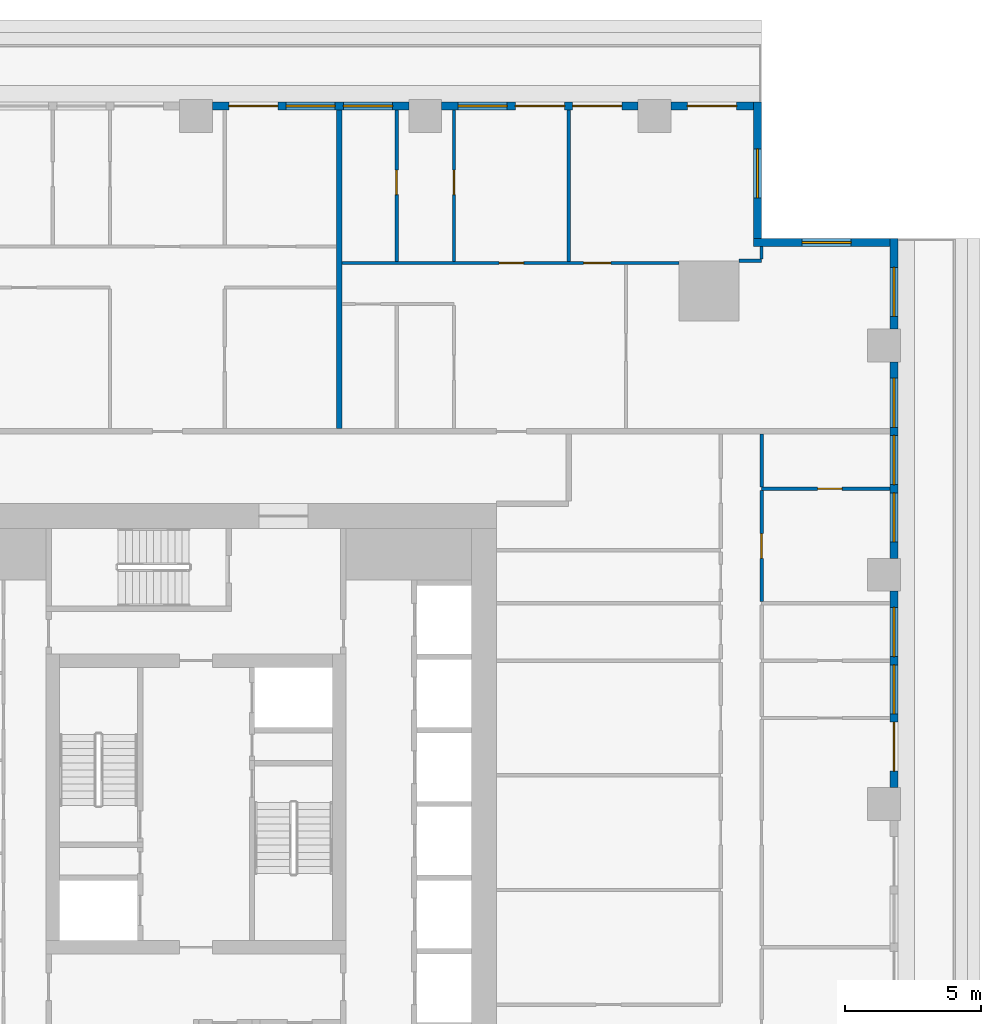
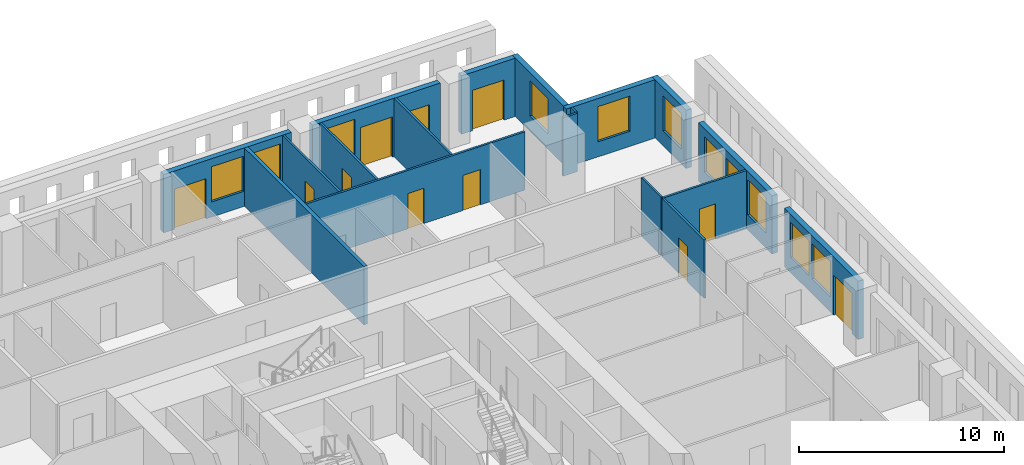
# One storey, part 9 of 15: 18 walls, 11 doors, 11 windows, 22 openings.
"""IFC4 building model written with IfcOpenShell, lengths in metres."""

from ifc_helpers import new_model, si_unit, direction, frame, frame_2d, origin, place, context, subcontext, project, spatial, rectangle, extrude, material, layer, layer_set, type_object, element, fill, save


model = new_model("IFC4")

# Units and contexts
model_context = context("Model", 3, precision=1e-05, world=origin(), true_north=direction((0.0, 1.0)))
body_context = subcontext(model_context, "Body", "Model", "MODEL_VIEW")
ifc_project = project(units=[si_unit("LENGTHUNIT", "METRE"), si_unit("AREAUNIT", "SQUARE_METRE"), si_unit("VOLUMEUNIT", "CUBIC_METRE"), si_unit("PLANEANGLEUNIT", "RADIAN"), si_unit("MASSUNIT", "GRAM", prefix="KILO")], contexts=[model_context])

# Site, building, storey
site_placement = place(None, origin())
site = spatial("IfcSite", under=ifc_project, at=site_placement, CompositionType="ELEMENT")
building_placement = place(site_placement, origin())
building = spatial("IfcBuilding", under=site, at=building_placement, Name="Khepri Terraces", CompositionType="ELEMENT")
storey_placement = place(building_placement, frame((0.0, 0.0, 244.5)))
storey = spatial("IfcBuildingStorey", under=building, at=storey_placement, Name="L58", CompositionType="ELEMENT", Elevation=244.5)

# Wall
ifc_material_1 = material(Name="Fire-rated gypsum plasterboard partition, mineral wool")
ifc_layer_1 = layer(ifc_material_1, 0.199951171875, Name="Fire-rated gypsum plasterboard partition, mineral wool")
ifc_layer_set_1 = layer_set([ifc_layer_1], Name="Fire-rated gypsum plasterboard partition, mineral wool")
wall_type_1 = type_object("IfcWallType", Name="WL-CORR-200", PredefinedType="PARTITIONING", material=ifc_layer_set_1)
wall_1_placement = place(storey_placement, frame((5.25, 13.75, 0.0), z_axis=(0.0, 0.0, 1.0), x_axis=(0.0, 1.0, 0.0)))
element("IfcWall", 1, at=wall_1_placement, inside=storey, type_object=wall_type_1, Name="Partition P-090 L58", PredefinedType="PARTITIONING", context=body_context, shape_type="SweptSolid", body=[
    extrude(rectangle(XDim=11.669921875, YDim=0.199951171875, at=frame_2d((5.8349609375, 0.0))), origin(), (0.0, 0.0, 1.0), 3.47998046875),
])

# Wall, openings, door, windows
ifc_material_2 = material(Name="Precast concrete C50/60 warm stone", Category="masonry")
ifc_layer_2 = layer(ifc_material_2, 0.300048828125, Name="Precast concrete C50/60 warm stone", Category="masonry")
ifc_layer_set_2 = layer_set([ifc_layer_2], Name="Precast concrete C50/60 warm stone")
wall_type_2 = type_object("IfcWallType", Name="WL-EXT-PRECAST-300", PredefinedType="STANDARD", material=ifc_layer_set_2)
wall_2_placement = place(storey_placement, frame((25.570068359375, 0.60009765625, 0.0), z_axis=(0.0, 0.0, 1.0), x_axis=(0.0, 1.0, 0.0)))
wall_2 = element("IfcWall", 2, at=wall_2_placement, inside=storey, type_object=wall_type_2, Name="External wall L58 E", PredefinedType="STANDARD", context=body_context, shape_type="SweptSolid", body=[
    extrude(rectangle(XDim=7.199951171875, YDim=0.300048828125, at=frame_2d((3.60009765625, 0.0))), origin(), (0.0, 0.0, 1.0), 3.47998046875),
])
opening_1_placement = place(wall_2_placement, frame((0.60009765625, 0.0, 0.0)))
opening_1 = element("IfcOpeningElement", 3, at=opening_1_placement, cuts=wall_2, Name="Opening ED-L58-06", PredefinedType="OPENING", context=body_context, shape_type="SweptSolid", body=[
    extrude(rectangle(XDim=1.800048828125, YDim=2.39990234375, at=frame_2d((0.89990234375, 1.199951171875))), frame((0.0, 0.16015625, 0.0), z_axis=(0.0, -1.0, 0.0), x_axis=(1.0, 0.0, 0.0)), (0.0, 0.0, 1.0), 0.320068359375),
])
opening_2_placement = place(wall_2_placement, frame((2.699951171875, 0.0, 0.89990234375)))
opening_2 = element("IfcOpeningElement", 4, at=opening_2_placement, cuts=wall_2, Name="Opening W1", PredefinedType="OPENING", context=body_context, shape_type="SweptSolid", body=[
    extrude(rectangle(XDim=1.800048828125, YDim=2.10009765625, at=frame_2d((0.89990234375, 1.050048828125))), frame((0.0, 0.16015625, 0.0), z_axis=(0.0, -1.0, 0.0), x_axis=(1.0, 0.0, 0.0)), (0.0, 0.0, 1.0), 0.320068359375),
])
opening_3_placement = place(wall_2_placement, frame((4.800048828125, 0.0, 0.89990234375)))
opening_3 = element("IfcOpeningElement", 5, at=opening_3_placement, cuts=wall_2, Name="Opening W1", PredefinedType="OPENING", context=body_context, shape_type="SweptSolid", body=[
    extrude(rectangle(XDim=1.800048828125, YDim=2.10009765625, at=frame_2d((0.89990234375, 1.050048828125))), frame((0.0, 0.16015625, 0.0), z_axis=(0.0, -1.0, 0.0), x_axis=(1.0, 0.0, 0.0)), (0.0, 0.0, 1.0), 0.320068359375),
])
ifc_material_3 = material(Name="Anodised aluminium bronze glazed door", Category="aluminium")
door_type_1 = type_object("IfcDoorType", Name="DR-BAL-SLIDE-1800x2400", OperationType="NOTDEFINED", PredefinedType="DOOR", material=ifc_material_3)
door_1_placement = place(opening_1_placement, origin())
door_1 = element("IfcDoor", 6, at=door_1_placement, inside=storey, type_object=door_type_1, Name="Balcony door L58 E", OperationType="SLIDING_TO_LEFT", OverallHeight=2.39990234375, OverallWidth=1.800048828125, PredefinedType="DOOR", context=body_context, shape_type="SweptSolid", body=[
    extrude(rectangle(XDim=1.800048828125, YDim=2.39990234375, at=frame_2d((0.89990234375, 1.199951171875))), frame((0.0, 0.02490234375, 0.0), z_axis=(0.0, -1.0, 0.0), x_axis=(1.0, 0.0, 0.0)), (0.0, 0.0, 1.0), 0.050048828125),
])
fill(opening_1, door_1)
ifc_material_4 = material(Name="Clear glass", Category="glass")
window_type = type_object("IfcWindowType", Name="WIN-RES-1800x2100", PartitioningType="SINGLE_PANEL", PredefinedType="WINDOW", material=ifc_material_4)
window_1_placement = place(opening_2_placement, origin())
window_1 = element("IfcWindow", 7, at=window_1_placement, inside=storey, type_object=window_type, Name="Window L58 E", OverallHeight=2.10009765625, OverallWidth=1.800048828125, PartitioningType="SINGLE_PANEL", PredefinedType="WINDOW", context=body_context, shape_type="SweptSolid", body=[
    extrude(rectangle(XDim=1.800048828125, YDim=2.10009765625, at=frame_2d((0.89990234375, 1.050048828125))), frame((0.0, 0.030029296875, 0.0), z_axis=(0.0, -1.0, 0.0), x_axis=(1.0, 0.0, 0.0)), (0.0, 0.0, 1.0), 0.06005859375),
])
fill(opening_2, window_1)
window_2_placement = place(opening_3_placement, origin())
window_2 = element("IfcWindow", 8, at=window_2_placement, inside=storey, type_object=window_type, Name="Window L58 E", OverallHeight=2.10009765625, OverallWidth=1.800048828125, PartitioningType="SINGLE_PANEL", PredefinedType="WINDOW", context=body_context, shape_type="SweptSolid", body=[
    extrude(rectangle(XDim=1.800048828125, YDim=2.10009765625, at=frame_2d((0.89990234375, 1.050048828125))), frame((0.0, 0.030029296875, 0.0), z_axis=(0.0, -1.0, 0.0), x_axis=(1.0, 0.0, 0.0)), (0.0, 0.0, 1.0), 0.06005859375),
])
fill(opening_3, window_2)

# Wall, openings, windows
wall_3_placement = place(storey_placement, frame((25.570068359375, 9.0, 0.0), z_axis=(0.0, 0.0, 1.0), x_axis=(0.0, 1.0, 0.0)))
wall_3 = element("IfcWall", 9, at=wall_3_placement, inside=storey, type_object=wall_type_2, Name="External wall L58 E", PredefinedType="STANDARD", context=body_context, shape_type="SweptSolid", body=[
    extrude(rectangle(XDim=7.199951171875, YDim=0.300048828125, at=frame_2d((3.60009765625, 0.0))), origin(), (0.0, 0.0, 1.0), 3.47998046875),
])
opening_4_placement = place(wall_3_placement, frame((0.60009765625, 0.0, 0.89990234375)))
opening_4 = element("IfcOpeningElement", 10, at=opening_4_placement, cuts=wall_3, Name="Opening W1", PredefinedType="OPENING", context=body_context, shape_type="SweptSolid", body=[
    extrude(rectangle(XDim=1.800048828125, YDim=2.10009765625, at=frame_2d((0.89990234375, 1.050048828125))), frame((0.0, 0.16015625, 0.0), z_axis=(0.0, -1.0, 0.0), x_axis=(1.0, 0.0, 0.0)), (0.0, 0.0, 1.0), 0.320068359375),
])
opening_5_placement = place(wall_3_placement, frame((2.699951171875, 0.0, 0.89990234375)))
opening_5 = element("IfcOpeningElement", 11, at=opening_5_placement, cuts=wall_3, Name="Opening W1", PredefinedType="OPENING", context=body_context, shape_type="SweptSolid", body=[
    extrude(rectangle(XDim=1.800048828125, YDim=2.10009765625, at=frame_2d((0.89990234375, 1.050048828125))), frame((0.0, 0.16015625, 0.0), z_axis=(0.0, -1.0, 0.0), x_axis=(1.0, 0.0, 0.0)), (0.0, 0.0, 1.0), 0.320068359375),
])
opening_6_placement = place(wall_3_placement, frame((4.800048828125, 0.0, 0.89990234375)))
opening_6 = element("IfcOpeningElement", 12, at=opening_6_placement, cuts=wall_3, Name="Opening W1", PredefinedType="OPENING", context=body_context, shape_type="SweptSolid", body=[
    extrude(rectangle(XDim=1.800048828125, YDim=2.10009765625, at=frame_2d((0.89990234375, 1.050048828125))), frame((0.0, 0.16015625, 0.0), z_axis=(0.0, -1.0, 0.0), x_axis=(1.0, 0.0, 0.0)), (0.0, 0.0, 1.0), 0.320068359375),
])
window_3_placement = place(opening_4_placement, origin())
window_3 = element("IfcWindow", 13, at=window_3_placement, inside=storey, type_object=window_type, Name="Window L58 E", OverallHeight=2.10009765625, OverallWidth=1.800048828125, PartitioningType="SINGLE_PANEL", PredefinedType="WINDOW", context=body_context, shape_type="SweptSolid", body=[
    extrude(rectangle(XDim=1.800048828125, YDim=2.10009765625, at=frame_2d((0.89990234375, 1.050048828125))), frame((0.0, 0.030029296875, 0.0), z_axis=(0.0, -1.0, 0.0), x_axis=(1.0, 0.0, 0.0)), (0.0, 0.0, 1.0), 0.06005859375),
])
fill(opening_4, window_3)
window_4_placement = place(opening_5_placement, origin())
window_4 = element("IfcWindow", 14, at=window_4_placement, inside=storey, type_object=window_type, Name="Window L58 E", OverallHeight=2.10009765625, OverallWidth=1.800048828125, PartitioningType="SINGLE_PANEL", PredefinedType="WINDOW", context=body_context, shape_type="SweptSolid", body=[
    extrude(rectangle(XDim=1.800048828125, YDim=2.10009765625, at=frame_2d((0.89990234375, 1.050048828125))), frame((0.0, 0.030029296875, 0.0), z_axis=(0.0, -1.0, 0.0), x_axis=(1.0, 0.0, 0.0)), (0.0, 0.0, 1.0), 0.06005859375),
])
fill(opening_5, window_4)
window_5_placement = place(opening_6_placement, origin())
window_5 = element("IfcWindow", 15, at=window_5_placement, inside=storey, type_object=window_type, Name="Window L58 E", OverallHeight=2.10009765625, OverallWidth=1.800048828125, PartitioningType="SINGLE_PANEL", PredefinedType="WINDOW", context=body_context, shape_type="SweptSolid", body=[
    extrude(rectangle(XDim=1.800048828125, YDim=2.10009765625, at=frame_2d((0.89990234375, 1.050048828125))), frame((0.0, 0.030029296875, 0.0), z_axis=(0.0, -1.0, 0.0), x_axis=(1.0, 0.0, 0.0)), (0.0, 0.0, 1.0), 0.06005859375),
])
fill(opening_6, window_5)

# Wall, opening, window
wall_4_placement = place(storey_placement, frame((25.570068359375, 17.39990234375, 0.0), z_axis=(0.0, 0.0, 1.0), x_axis=(0.0, 1.0, 0.0)))
wall_4 = element("IfcWall", 16, at=wall_4_placement, inside=storey, type_object=wall_type_2, Name="External wall L58 E", PredefinedType="STANDARD", context=body_context, shape_type="SweptSolid", body=[
    extrude(rectangle(XDim=3.320068359375, YDim=0.300048828125, at=frame_2d((1.66015625, 0.0))), origin(), (0.0, 0.0, 1.0), 3.47998046875),
])
opening_7_placement = place(wall_4_placement, frame((0.45947265625, 0.0, 0.89990234375)))
opening_7 = element("IfcOpeningElement", 17, at=opening_7_placement, cuts=wall_4, Name="Opening W1", PredefinedType="OPENING", context=body_context, shape_type="SweptSolid", body=[
    extrude(rectangle(XDim=1.800048828125, YDim=2.10009765625, at=frame_2d((0.89990234375, 1.050048828125))), frame((0.0, 0.16015625, 0.0), z_axis=(0.0, -1.0, 0.0), x_axis=(1.0, 0.0, 0.0)), (0.0, 0.0, 1.0), 0.320068359375),
])
window_6_placement = place(opening_7_placement, origin())
window_6 = element("IfcWindow", 18, at=window_6_placement, inside=storey, type_object=window_type, Name="Window L58 E", OverallHeight=2.10009765625, OverallWidth=1.800048828125, PartitioningType="SINGLE_PANEL", PredefinedType="WINDOW", context=body_context, shape_type="SweptSolid", body=[
    extrude(rectangle(XDim=1.800048828125, YDim=2.10009765625, at=frame_2d((0.89990234375, 1.050048828125))), frame((0.0, 0.030029296875, 0.0), z_axis=(0.0, -1.0, 0.0), x_axis=(1.0, 0.0, 0.0)), (0.0, 0.0, 1.0), 0.06005859375),
])
fill(opening_7, window_6)

wall_5_placement = place(storey_placement, frame((25.419921875, 20.570068359375, 0.0), z_axis=(0.0, 0.0, 1.0), x_axis=(-1.0, 0.0, 0.0)))
wall_5 = element("IfcWall", 19, at=wall_5_placement, inside=storey, type_object=wall_type_2, Name="External wall L58 N", PredefinedType="STANDARD", context=body_context, shape_type="SweptSolid", body=[
    extrude(rectangle(XDim=5.0, YDim=0.300048828125, at=frame_2d((2.5, 0.0))), origin(), (0.0, 0.0, 1.0), 3.47998046875),
])
opening_8_placement = place(wall_5_placement, frame((1.419921875, 0.0, 0.89990234375)))
opening_8 = element("IfcOpeningElement", 20, at=opening_8_placement, cuts=wall_5, Name="Opening W1", PredefinedType="OPENING", context=body_context, shape_type="SweptSolid", body=[
    extrude(rectangle(XDim=1.800048828125, YDim=2.10009765625, at=frame_2d((0.89990234375, 1.050048828125))), frame((0.0, 0.16015625, 0.0), z_axis=(0.0, -1.0, 0.0), x_axis=(1.0, 0.0, 0.0)), (0.0, 0.0, 1.0), 0.320068359375),
])
window_7_placement = place(opening_8_placement, origin())
window_7 = element("IfcWindow", 21, at=window_7_placement, inside=storey, type_object=window_type, Name="Window L58 N", OverallHeight=2.10009765625, OverallWidth=1.800048828125, PartitioningType="SINGLE_PANEL", PredefinedType="WINDOW", context=body_context, shape_type="SweptSolid", body=[
    extrude(rectangle(XDim=1.800048828125, YDim=2.10009765625, at=frame_2d((0.89990234375, 1.050048828125))), frame((0.0, 0.030029296875, 0.0), z_axis=(0.0, -1.0, 0.0), x_axis=(1.0, 0.0, 0.0)), (0.0, 0.0, 1.0), 0.06005859375),
])
fill(opening_8, window_7)

wall_6_placement = place(storey_placement, frame((20.570068359375, 20.719970703125, 0.0), z_axis=(0.0, 0.0, 1.0), x_axis=(0.0, 1.0, 0.0)))
wall_6 = element("IfcWall", 22, at=wall_6_placement, inside=storey, type_object=wall_type_2, Name="External wall L58 E", PredefinedType="STANDARD", context=body_context, shape_type="SweptSolid", body=[
    extrude(rectangle(XDim=5.0, YDim=0.300048828125, at=frame_2d((2.5, 0.0))), origin(), (0.0, 0.0, 1.0), 3.47998046875),
])
opening_9_placement = place(wall_6_placement, frame((1.47998046875, 0.0, 0.89990234375)))
opening_9 = element("IfcOpeningElement", 23, at=opening_9_placement, cuts=wall_6, Name="Opening W1", PredefinedType="OPENING", context=body_context, shape_type="SweptSolid", body=[
    extrude(rectangle(XDim=1.800048828125, YDim=2.10009765625, at=frame_2d((0.89990234375, 1.050048828125))), frame((0.0, 0.16015625, 0.0), z_axis=(0.0, -1.0, 0.0), x_axis=(1.0, 0.0, 0.0)), (0.0, 0.0, 1.0), 0.320068359375),
])
window_8_placement = place(opening_9_placement, origin())
window_8 = element("IfcWindow", 24, at=window_8_placement, inside=storey, type_object=window_type, Name="Window L58 E", OverallHeight=2.10009765625, OverallWidth=1.800048828125, PartitioningType="SINGLE_PANEL", PredefinedType="WINDOW", context=body_context, shape_type="SweptSolid", body=[
    extrude(rectangle(XDim=1.800048828125, YDim=2.10009765625, at=frame_2d((0.89990234375, 1.050048828125))), frame((0.0, 0.030029296875, 0.0), z_axis=(0.0, -1.0, 0.0), x_axis=(1.0, 0.0, 0.0)), (0.0, 0.0, 1.0), 0.06005859375),
])
fill(opening_9, window_8)

# Wall, opening, door
wall_7_placement = place(storey_placement, frame((20.419921875, 25.570068359375, 0.0), z_axis=(0.0, 0.0, 1.0), x_axis=(-1.0, 0.0, 0.0)))
wall_7 = element("IfcWall", 25, at=wall_7_placement, inside=storey, type_object=wall_type_2, Name="External wall L58 N", PredefinedType="STANDARD", context=body_context, shape_type="SweptSolid", body=[
    extrude(rectangle(XDim=3.02001953125, YDim=0.300048828125, at=frame_2d((1.510009765625, 0.0))), origin(), (0.0, 0.0, 1.0), 3.47998046875),
])
opening_10_placement = place(wall_7_placement, frame((0.6201171875, 0.0, 0.0)))
opening_10 = element("IfcOpeningElement", 26, at=opening_10_placement, cuts=wall_7, Name="Opening ED-L58-07", PredefinedType="OPENING", context=body_context, shape_type="SweptSolid", body=[
    extrude(rectangle(XDim=1.800048828125, YDim=2.39990234375, at=frame_2d((0.89990234375, 1.199951171875))), frame((0.0, 0.16015625, 0.0), z_axis=(0.0, -1.0, 0.0), x_axis=(1.0, 0.0, 0.0)), (0.0, 0.0, 1.0), 0.320068359375),
])
door_2_placement = place(opening_10_placement, origin())
door_2 = element("IfcDoor", 27, at=door_2_placement, inside=storey, type_object=door_type_1, Name="Balcony door L58 N", OperationType="SLIDING_TO_RIGHT", OverallHeight=2.39990234375, OverallWidth=1.800048828125, PredefinedType="DOOR", context=body_context, shape_type="SweptSolid", body=[
    extrude(rectangle(XDim=1.800048828125, YDim=2.39990234375, at=frame_2d((0.89990234375, 1.199951171875))), frame((0.0, 0.02490234375, 0.0), z_axis=(0.0, -1.0, 0.0), x_axis=(1.0, 0.0, 0.0)), (0.0, 0.0, 1.0), 0.050048828125),
])
fill(opening_10, door_2)

# Wall, openings, doors, window
wall_8_placement = place(storey_placement, frame((16.199951171875, 25.570068359375, 0.0), z_axis=(0.0, 0.0, 1.0), x_axis=(-1.0, 0.0, 0.0)))
wall_8 = element("IfcWall", 28, at=wall_8_placement, inside=storey, type_object=wall_type_2, Name="External wall L58 N", PredefinedType="STANDARD", context=body_context, shape_type="SweptSolid", body=[
    extrude(rectangle(XDim=7.199951171875, YDim=0.300048828125, at=frame_2d((3.60009765625, 0.0))), origin(), (0.0, 0.0, 1.0), 3.47998046875),
])
opening_11_placement = place(wall_8_placement, frame((0.60009765625, 0.0, 0.0)))
opening_11 = element("IfcOpeningElement", 29, at=opening_11_placement, cuts=wall_8, Name="Opening ED-L58-08", PredefinedType="OPENING", context=body_context, shape_type="SweptSolid", body=[
    extrude(rectangle(XDim=1.800048828125, YDim=2.39990234375, at=frame_2d((0.89990234375, 1.199951171875))), frame((0.0, 0.16015625, 0.0), z_axis=(0.0, -1.0, 0.0), x_axis=(1.0, 0.0, 0.0)), (0.0, 0.0, 1.0), 0.320068359375),
])
opening_12_placement = place(wall_8_placement, frame((2.699951171875, 0.0, 0.0)))
opening_12 = element("IfcOpeningElement", 30, at=opening_12_placement, cuts=wall_8, Name="Opening ED-L58-09", PredefinedType="OPENING", context=body_context, shape_type="SweptSolid", body=[
    extrude(rectangle(XDim=1.800048828125, YDim=2.39990234375, at=frame_2d((0.89990234375, 1.199951171875))), frame((0.0, 0.16015625, 0.0), z_axis=(0.0, -1.0, 0.0), x_axis=(1.0, 0.0, 0.0)), (0.0, 0.0, 1.0), 0.320068359375),
])
opening_13_placement = place(wall_8_placement, frame((4.800048828125, 0.0, 0.89990234375)))
opening_13 = element("IfcOpeningElement", 31, at=opening_13_placement, cuts=wall_8, Name="Opening W1", PredefinedType="OPENING", context=body_context, shape_type="SweptSolid", body=[
    extrude(rectangle(XDim=1.800048828125, YDim=2.10009765625, at=frame_2d((0.89990234375, 1.050048828125))), frame((0.0, 0.16015625, 0.0), z_axis=(0.0, -1.0, 0.0), x_axis=(1.0, 0.0, 0.0)), (0.0, 0.0, 1.0), 0.320068359375),
])
door_3_placement = place(opening_11_placement, origin())
door_3 = element("IfcDoor", 32, at=door_3_placement, inside=storey, type_object=door_type_1, Name="Balcony door L58 N", OperationType="SLIDING_TO_LEFT", OverallHeight=2.39990234375, OverallWidth=1.800048828125, PredefinedType="DOOR", context=body_context, shape_type="SweptSolid", body=[
    extrude(rectangle(XDim=1.800048828125, YDim=2.39990234375, at=frame_2d((0.89990234375, 1.199951171875))), frame((0.0, 0.02490234375, 0.0), z_axis=(0.0, -1.0, 0.0), x_axis=(1.0, 0.0, 0.0)), (0.0, 0.0, 1.0), 0.050048828125),
])
fill(opening_11, door_3)
door_4_placement = place(opening_12_placement, origin())
door_4 = element("IfcDoor", 33, at=door_4_placement, inside=storey, type_object=door_type_1, Name="Balcony door L58 N", OperationType="SLIDING_TO_RIGHT", OverallHeight=2.39990234375, OverallWidth=1.800048828125, PredefinedType="DOOR", context=body_context, shape_type="SweptSolid", body=[
    extrude(rectangle(XDim=1.800048828125, YDim=2.39990234375, at=frame_2d((0.89990234375, 1.199951171875))), frame((0.0, 0.02490234375, 0.0), z_axis=(0.0, -1.0, 0.0), x_axis=(1.0, 0.0, 0.0)), (0.0, 0.0, 1.0), 0.050048828125),
])
fill(opening_12, door_4)
window_9_placement = place(opening_13_placement, origin())
window_9 = element("IfcWindow", 34, at=window_9_placement, inside=storey, type_object=window_type, Name="Window L58 N", OverallHeight=2.10009765625, OverallWidth=1.800048828125, PartitioningType="SINGLE_PANEL", PredefinedType="WINDOW", context=body_context, shape_type="SweptSolid", body=[
    extrude(rectangle(XDim=1.800048828125, YDim=2.10009765625, at=frame_2d((0.89990234375, 1.050048828125))), frame((0.0, 0.030029296875, 0.0), z_axis=(0.0, -1.0, 0.0), x_axis=(1.0, 0.0, 0.0)), (0.0, 0.0, 1.0), 0.06005859375),
])
fill(opening_13, window_9)

# Wall, openings, door, windows
wall_9_placement = place(storey_placement, frame((7.800048828125, 25.570068359375, 0.0), z_axis=(0.0, 0.0, 1.0), x_axis=(-1.0, 0.0, 0.0)))
wall_9 = element("IfcWall", 35, at=wall_9_placement, inside=storey, type_object=wall_type_2, Name="External wall L58 N", PredefinedType="STANDARD", context=body_context, shape_type="SweptSolid", body=[
    extrude(rectangle(XDim=7.199951171875, YDim=0.300048828125, at=frame_2d((3.60009765625, 0.0))), origin(), (0.0, 0.0, 1.0), 3.47998046875),
])
opening_14_placement = place(wall_9_placement, frame((0.60009765625, 0.0, 0.89990234375)))
opening_14 = element("IfcOpeningElement", 36, at=opening_14_placement, cuts=wall_9, Name="Opening W1", PredefinedType="OPENING", context=body_context, shape_type="SweptSolid", body=[
    extrude(rectangle(XDim=1.800048828125, YDim=2.10009765625, at=frame_2d((0.89990234375, 1.050048828125))), frame((0.0, 0.16015625, 0.0), z_axis=(0.0, -1.0, 0.0), x_axis=(1.0, 0.0, 0.0)), (0.0, 0.0, 1.0), 0.320068359375),
])
opening_15_placement = place(wall_9_placement, frame((2.699951171875, 0.0, 0.89990234375)))
opening_15 = element("IfcOpeningElement", 37, at=opening_15_placement, cuts=wall_9, Name="Opening W1", PredefinedType="OPENING", context=body_context, shape_type="SweptSolid", body=[
    extrude(rectangle(XDim=1.800048828125, YDim=2.10009765625, at=frame_2d((0.89990234375, 1.050048828125))), frame((0.0, 0.16015625, 0.0), z_axis=(0.0, -1.0, 0.0), x_axis=(1.0, 0.0, 0.0)), (0.0, 0.0, 1.0), 0.320068359375),
])
opening_16_placement = place(wall_9_placement, frame((4.800048828125, 0.0, 0.0)))
opening_16 = element("IfcOpeningElement", 38, at=opening_16_placement, cuts=wall_9, Name="Opening ED-L58-10", PredefinedType="OPENING", context=body_context, shape_type="SweptSolid", body=[
    extrude(rectangle(XDim=1.800048828125, YDim=2.39990234375, at=frame_2d((0.89990234375, 1.199951171875))), frame((0.0, 0.16015625, 0.0), z_axis=(0.0, -1.0, 0.0), x_axis=(1.0, 0.0, 0.0)), (0.0, 0.0, 1.0), 0.320068359375),
])
door_5_placement = place(opening_16_placement, origin())
door_5 = element("IfcDoor", 39, at=door_5_placement, inside=storey, type_object=door_type_1, Name="Balcony door L58 N", OperationType="SLIDING_TO_RIGHT", OverallHeight=2.39990234375, OverallWidth=1.800048828125, PredefinedType="DOOR", context=body_context, shape_type="SweptSolid", body=[
    extrude(rectangle(XDim=1.800048828125, YDim=2.39990234375, at=frame_2d((0.89990234375, 1.199951171875))), frame((0.0, 0.02490234375, 0.0), z_axis=(0.0, -1.0, 0.0), x_axis=(1.0, 0.0, 0.0)), (0.0, 0.0, 1.0), 0.050048828125),
])
fill(opening_16, door_5)
window_10_placement = place(opening_14_placement, origin())
window_10 = element("IfcWindow", 40, at=window_10_placement, inside=storey, type_object=window_type, Name="Window L58 N", OverallHeight=2.10009765625, OverallWidth=1.800048828125, PartitioningType="SINGLE_PANEL", PredefinedType="WINDOW", context=body_context, shape_type="SweptSolid", body=[
    extrude(rectangle(XDim=1.800048828125, YDim=2.10009765625, at=frame_2d((0.89990234375, 1.050048828125))), frame((0.0, 0.030029296875, 0.0), z_axis=(0.0, -1.0, 0.0), x_axis=(1.0, 0.0, 0.0)), (0.0, 0.0, 1.0), 0.06005859375),
])
fill(opening_14, window_10)
window_11_placement = place(opening_15_placement, origin())
window_11 = element("IfcWindow", 41, at=window_11_placement, inside=storey, type_object=window_type, Name="Window L58 N", OverallHeight=2.10009765625, OverallWidth=1.800048828125, PartitioningType="SINGLE_PANEL", PredefinedType="WINDOW", context=body_context, shape_type="SweptSolid", body=[
    extrude(rectangle(XDim=1.800048828125, YDim=2.10009765625, at=frame_2d((0.89990234375, 1.050048828125))), frame((0.0, 0.030029296875, 0.0), z_axis=(0.0, -1.0, 0.0), x_axis=(1.0, 0.0, 0.0)), (0.0, 0.0, 1.0), 0.06005859375),
])
fill(opening_15, window_11)

# Wall, opening, door
ifc_material_5 = material(Name="Gypsum plasterboard partition")
ifc_layer_3 = layer(ifc_material_5, 0.1201171875, Name="Gypsum plasterboard partition")
ifc_layer_set_3 = layer_set([ifc_layer_3], Name="Gypsum plasterboard partition")
wall_type_3 = type_object("IfcWallType", Name="WL-PART-120", PredefinedType="PARTITIONING", material=ifc_layer_set_3)
wall_10_placement = place(storey_placement, frame((20.719970703125, 7.409912109375, 0.0), z_axis=(0.0, 0.0, 1.0), x_axis=(0.0, 1.0, 0.0)))
wall_10 = element("IfcWall", 42, at=wall_10_placement, inside=storey, type_object=wall_type_3, Name="Partition P-071 L58", PredefinedType="PARTITIONING", context=body_context, shape_type="SweptSolid", body=[
    extrude(rectangle(XDim=4.080078125, YDim=0.1201171875, at=frame_2d((2.0400390625, 0.0))), origin(), (0.0, 0.0, 1.0), 3.47998046875),
])
opening_17_placement = place(wall_10_placement, frame((1.590087890625, 0.0, 0.0)))
opening_17 = element("IfcOpeningElement", 43, at=opening_17_placement, cuts=wall_10, Name="Opening D3", PredefinedType="OPENING", context=body_context, shape_type="SweptSolid", body=[
    extrude(rectangle(XDim=0.89990234375, YDim=2.10009765625, at=frame_2d((0.449951171875, 1.050048828125))), frame((0.0, 0.070068359375, 0.0), z_axis=(0.0, -1.0, 0.0), x_axis=(1.0, 0.0, 0.0)), (0.0, 0.0, 1.0), 0.14013671875),
])
ifc_material_6 = material(Name="Timber door leaf", Category="wood")
door_type_2 = type_object("IfcDoorType", Name="DR-INT-900", OperationType="NOTDEFINED", PredefinedType="DOOR", material=ifc_material_6)
door_6_placement = place(opening_17_placement, frame((0.89990234375, 0.0, 0.0), z_axis=(0.0, 0.0, 1.0), x_axis=(-1.0, 0.0, 0.0)))
door_6 = element("IfcDoor", 44, at=door_6_placement, inside=storey, type_object=door_type_2, Name="Door Bedroom", OperationType="SINGLE_SWING_RIGHT", OverallHeight=2.10009765625, OverallWidth=0.89990234375, PredefinedType="DOOR", context=body_context, shape_type="SweptSolid", body=[
    extrude(rectangle(XDim=0.89990234375, YDim=2.10009765625, at=frame_2d((0.449951171875, 1.050048828125))), frame((0.0, 0.02490234375, 0.0), z_axis=(0.0, -1.0, 0.0), x_axis=(1.0, 0.0, 0.0)), (0.0, 0.0, 1.0), 0.050048828125),
])
fill(opening_17, door_6)

wall_11_placement = place(storey_placement, frame((20.719970703125, 11.550048828125, 0.0), z_axis=(0.0, 0.0, 1.0), x_axis=(1.0, 0.0, 0.0)))
wall_11 = element("IfcWall", 45, at=wall_11_placement, inside=storey, type_object=wall_type_3, Name="Partition P-079 L58", PredefinedType="PARTITIONING", context=body_context, shape_type="SweptSolid", body=[
    extrude(rectangle(XDim=4.699951171875, YDim=0.1201171875, at=frame_2d((2.35009765625, 0.0))), origin(), (0.0, 0.0, 1.0), 3.47998046875),
])
opening_18_placement = place(wall_11_placement, frame((2.050048828125, 0.0, 0.0)))
opening_18 = element("IfcOpeningElement", 46, at=opening_18_placement, cuts=wall_11, Name="Opening D4", PredefinedType="OPENING", context=body_context, shape_type="SweptSolid", body=[
    extrude(rectangle(XDim=0.89990234375, YDim=2.10009765625, at=frame_2d((0.449951171875, 1.050048828125))), frame((0.0, 0.070068359375, 0.0), z_axis=(0.0, -1.0, 0.0), x_axis=(1.0, 0.0, 0.0)), (0.0, 0.0, 1.0), 0.14013671875),
])
ifc_material_7 = material(Name="Timber door leaf, moisture resistant", Category="wood")
door_type_3 = type_object("IfcDoorType", Name="DR-WET-900", OperationType="NOTDEFINED", PredefinedType="DOOR", material=ifc_material_7)
door_7_placement = place(opening_18_placement, origin())
door_7 = element("IfcDoor", 47, at=door_7_placement, inside=storey, type_object=door_type_3, Name="Door Bathroom", OperationType="SINGLE_SWING_RIGHT", OverallHeight=2.10009765625, OverallWidth=0.89990234375, PredefinedType="DOOR", context=body_context, shape_type="SweptSolid", body=[
    extrude(rectangle(XDim=0.89990234375, YDim=2.10009765625, at=frame_2d((0.449951171875, 1.050048828125))), frame((0.0, 0.02490234375, 0.0), z_axis=(0.0, -1.0, 0.0), x_axis=(1.0, 0.0, 0.0)), (0.0, 0.0, 1.0), 0.050048828125),
])
fill(opening_18, door_7)

# Wall
wall_12_placement = place(storey_placement, frame((20.719970703125, 11.610107421875, 0.0), z_axis=(0.0, 0.0, 1.0), x_axis=(0.0, 1.0, 0.0)))
element("IfcWall", 48, at=wall_12_placement, inside=storey, type_object=wall_type_3, Name="Partition P-081 L58", PredefinedType="PARTITIONING", context=body_context, shape_type="SweptSolid", body=[
    extrude(rectangle(XDim=1.93994140625, YDim=0.1201171875, at=frame_2d((0.969970703125, 0.0))), origin(), (0.0, 0.0, 1.0), 3.47998046875),
])

# Wall, openings, doors
wall_13_placement = place(storey_placement, frame((5.35009765625, 19.820068359375, 0.0), z_axis=(0.0, 0.0, 1.0), x_axis=(1.0, 0.0, 0.0)))
wall_13 = element("IfcWall", 49, at=wall_13_placement, inside=storey, type_object=wall_type_3, Name="Partition P-097 L58", PredefinedType="PARTITIONING", context=body_context, shape_type="SweptSolid", body=[
    extrude(rectangle(XDim=12.349853515625, YDim=0.1201171875, at=frame_2d((6.1748046875, 0.0))), origin(), (0.0, 0.0, 1.0), 3.47998046875),
])
opening_19_placement = place(wall_13_placement, frame((8.85009765625, 0.0, 0.0)))
opening_19 = element("IfcOpeningElement", 50, at=opening_19_placement, cuts=wall_13, Name="Opening D2", PredefinedType="OPENING", context=body_context, shape_type="SweptSolid", body=[
    extrude(rectangle(XDim=1.0, YDim=2.10009765625, at=frame_2d((0.5, 1.050048828125))), frame((0.0, 0.070068359375, 0.0), z_axis=(0.0, -1.0, 0.0), x_axis=(1.0, 0.0, 0.0)), (0.0, 0.0, 1.0), 0.14013671875),
])
opening_20_placement = place(wall_13_placement, frame((5.75, 0.0, 0.0)))
opening_20 = element("IfcOpeningElement", 51, at=opening_20_placement, cuts=wall_13, Name="Opening D3", PredefinedType="OPENING", context=body_context, shape_type="SweptSolid", body=[
    extrude(rectangle(XDim=0.89990234375, YDim=2.10009765625, at=frame_2d((0.449951171875, 1.050048828125))), frame((0.0, 0.070068359375, 0.0), z_axis=(0.0, -1.0, 0.0), x_axis=(1.0, 0.0, 0.0)), (0.0, 0.0, 1.0), 0.14013671875),
])
ifc_material_8 = material(Name="Timber door leaf, living room door", Category="wood")
door_type_4 = type_object("IfcDoorType", Name="DR-INT-1000", OperationType="NOTDEFINED", PredefinedType="DOOR", material=ifc_material_8)
door_8_placement = place(opening_19_placement, origin())
door_8 = element("IfcDoor", 52, at=door_8_placement, inside=storey, type_object=door_type_4, Name="Door Living Room", OperationType="SINGLE_SWING_RIGHT", OverallHeight=2.10009765625, OverallWidth=1.0, PredefinedType="DOOR", context=body_context, shape_type="SweptSolid", body=[
    extrude(rectangle(XDim=1.0, YDim=2.10009765625, at=frame_2d((0.5, 1.050048828125))), frame((0.0, 0.02490234375, 0.0), z_axis=(0.0, -1.0, 0.0), x_axis=(1.0, 0.0, 0.0)), (0.0, 0.0, 1.0), 0.050048828125),
])
fill(opening_19, door_8)
door_9_placement = place(opening_20_placement, origin())
door_9 = element("IfcDoor", 53, at=door_9_placement, inside=storey, type_object=door_type_2, Name="Door Master Bedroom", OperationType="SINGLE_SWING_RIGHT", OverallHeight=2.10009765625, OverallWidth=0.89990234375, PredefinedType="DOOR", context=body_context, shape_type="SweptSolid", body=[
    extrude(rectangle(XDim=0.89990234375, YDim=2.10009765625, at=frame_2d((0.449951171875, 1.050048828125))), frame((0.0, 0.02490234375, 0.0), z_axis=(0.0, -1.0, 0.0), x_axis=(1.0, 0.0, 0.0)), (0.0, 0.0, 1.0), 0.050048828125),
])
fill(opening_20, door_9)

# Wall, opening, door
wall_14_placement = place(storey_placement, frame((7.35009765625, 19.8798828125, 0.0), z_axis=(0.0, 0.0, 1.0), x_axis=(0.0, 1.0, 0.0)))
wall_14 = element("IfcWall", 54, at=wall_14_placement, inside=storey, type_object=wall_type_3, Name="Partition P-098 L58", PredefinedType="PARTITIONING", context=body_context, shape_type="SweptSolid", body=[
    extrude(rectangle(XDim=5.5400390625, YDim=0.1201171875, at=frame_2d((2.77001953125, 0.0))), origin(), (0.0, 0.0, 1.0), 3.47998046875),
])
opening_21_placement = place(wall_14_placement, frame((2.43994140625, 0.0, 0.0)))
opening_21 = element("IfcOpeningElement", 55, at=opening_21_placement, cuts=wall_14, Name="Opening D4", PredefinedType="OPENING", context=body_context, shape_type="SweptSolid", body=[
    extrude(rectangle(XDim=0.89990234375, YDim=2.10009765625, at=frame_2d((0.449951171875, 1.050048828125))), frame((0.0, 0.070068359375, 0.0), z_axis=(0.0, -1.0, 0.0), x_axis=(1.0, 0.0, 0.0)), (0.0, 0.0, 1.0), 0.14013671875),
])
door_10_placement = place(opening_21_placement, origin())
door_10 = element("IfcDoor", 56, at=door_10_placement, inside=storey, type_object=door_type_3, Name="Door Bathroom", OperationType="SINGLE_SWING_RIGHT", OverallHeight=2.10009765625, OverallWidth=0.89990234375, PredefinedType="DOOR", context=body_context, shape_type="SweptSolid", body=[
    extrude(rectangle(XDim=0.89990234375, YDim=2.10009765625, at=frame_2d((0.449951171875, 1.050048828125))), frame((0.0, 0.02490234375, 0.0), z_axis=(0.0, -1.0, 0.0), x_axis=(1.0, 0.0, 0.0)), (0.0, 0.0, 1.0), 0.050048828125),
])
fill(opening_21, door_10)

wall_15_placement = place(storey_placement, frame((9.449951171875, 19.8798828125, 0.0), z_axis=(0.0, 0.0, 1.0), x_axis=(0.0, 1.0, 0.0)))
wall_15 = element("IfcWall", 57, at=wall_15_placement, inside=storey, type_object=wall_type_3, Name="Partition P-099 L58", PredefinedType="PARTITIONING", context=body_context, shape_type="SweptSolid", body=[
    extrude(rectangle(XDim=5.5400390625, YDim=0.1201171875, at=frame_2d((2.77001953125, 0.0))), origin(), (0.0, 0.0, 1.0), 3.47998046875),
])
opening_22_placement = place(wall_15_placement, frame((2.43994140625, 0.0, 0.0)))
opening_22 = element("IfcOpeningElement", 58, at=opening_22_placement, cuts=wall_15, Name="Opening D3", PredefinedType="OPENING", context=body_context, shape_type="SweptSolid", body=[
    extrude(rectangle(XDim=0.89990234375, YDim=2.10009765625, at=frame_2d((0.449951171875, 1.050048828125))), frame((0.0, 0.070068359375, 0.0), z_axis=(0.0, -1.0, 0.0), x_axis=(1.0, 0.0, 0.0)), (0.0, 0.0, 1.0), 0.14013671875),
])
door_11_placement = place(opening_22_placement, origin())
door_11 = element("IfcDoor", 59, at=door_11_placement, inside=storey, type_object=door_type_2, Name="Door Dressing Room", OperationType="SINGLE_SWING_RIGHT", OverallHeight=2.10009765625, OverallWidth=0.89990234375, PredefinedType="DOOR", context=body_context, shape_type="SweptSolid", body=[
    extrude(rectangle(XDim=0.89990234375, YDim=2.10009765625, at=frame_2d((0.449951171875, 1.050048828125))), frame((0.0, 0.02490234375, 0.0), z_axis=(0.0, -1.0, 0.0), x_axis=(1.0, 0.0, 0.0)), (0.0, 0.0, 1.0), 0.050048828125),
])
fill(opening_22, door_11)

# Walls
wall_16_placement = place(storey_placement, frame((13.64990234375, 19.8798828125, 0.0), z_axis=(0.0, 0.0, 1.0), x_axis=(0.0, 1.0, 0.0)))
element("IfcWall", 60, at=wall_16_placement, inside=storey, type_object=wall_type_3, Name="Partition P-100 L58", PredefinedType="PARTITIONING", context=body_context, shape_type="SweptSolid", body=[
    extrude(rectangle(XDim=5.5400390625, YDim=0.1201171875, at=frame_2d((2.77001953125, 0.0))), origin(), (0.0, 0.0, 1.0), 3.47998046875),
])
wall_17_placement = place(storey_placement, frame((19.89990234375, 19.90087890625, 0.0), z_axis=(0.0, 0.0, 1.0), x_axis=(1.0, 0.0, 0.0)))
element("IfcWall", 61, at=wall_17_placement, inside=storey, type_object=wall_type_3, Name="Partition P-102 L58", PredefinedType="PARTITIONING", context=body_context, shape_type="SweptSolid", body=[
    extrude(rectangle(XDim=0.819091796875, YDim=0.1201171875, at=frame_2d((0.40966796875, 0.0))), origin(), (0.0, 0.0, 1.0), 3.47998046875),
])
wall_18_placement = place(storey_placement, frame((20.718994140625, 19.9609375, 0.0), z_axis=(0.0, 0.0, 1.0), x_axis=(0.0, 1.0, 0.0)))
element("IfcWall", 62, at=wall_18_placement, inside=storey, type_object=wall_type_3, Name="Partition P-103 L58", PredefinedType="PARTITIONING", context=body_context, shape_type="SweptSolid", body=[
    extrude(rectangle(XDim=0.4599609375, YDim=0.1201171875, at=frame_2d((0.22998046875, 0.0))), origin(), (0.0, 0.0, 1.0), 3.47998046875),
])

save(model, "model.ifc")
